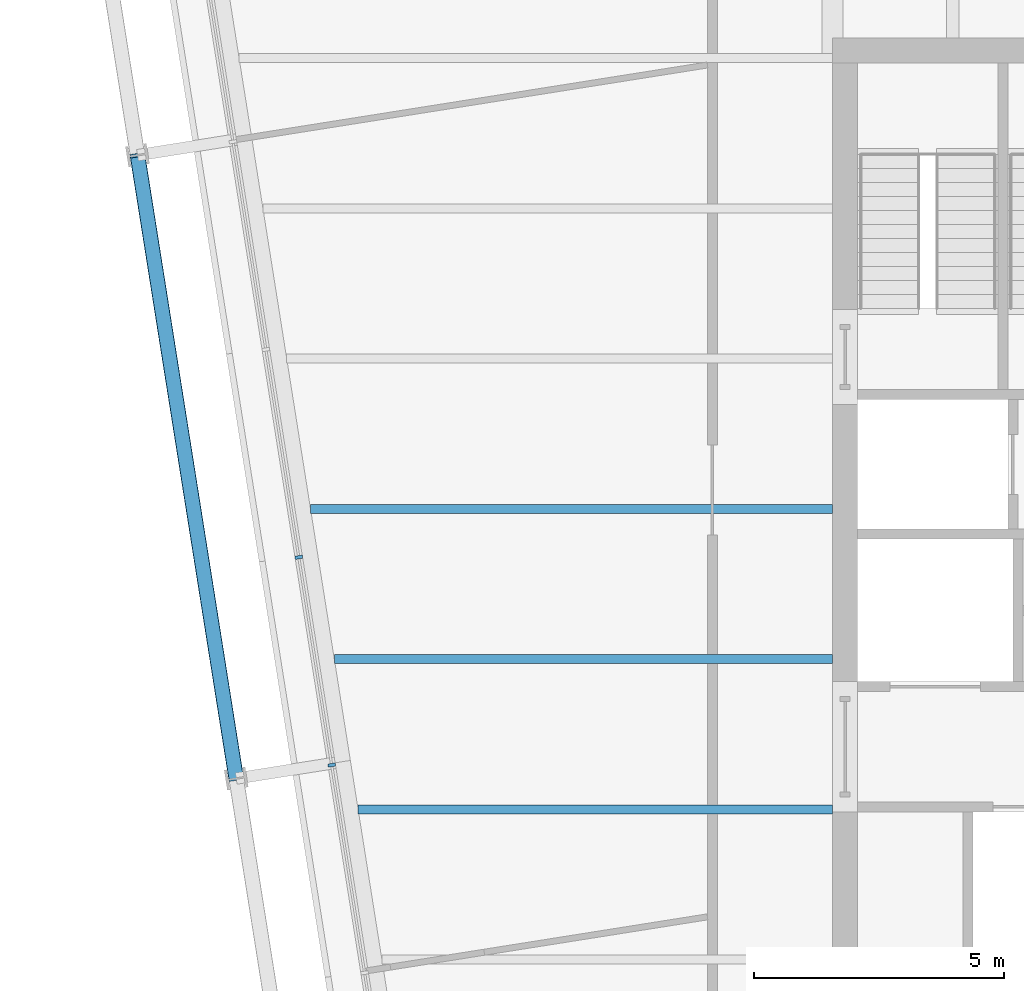
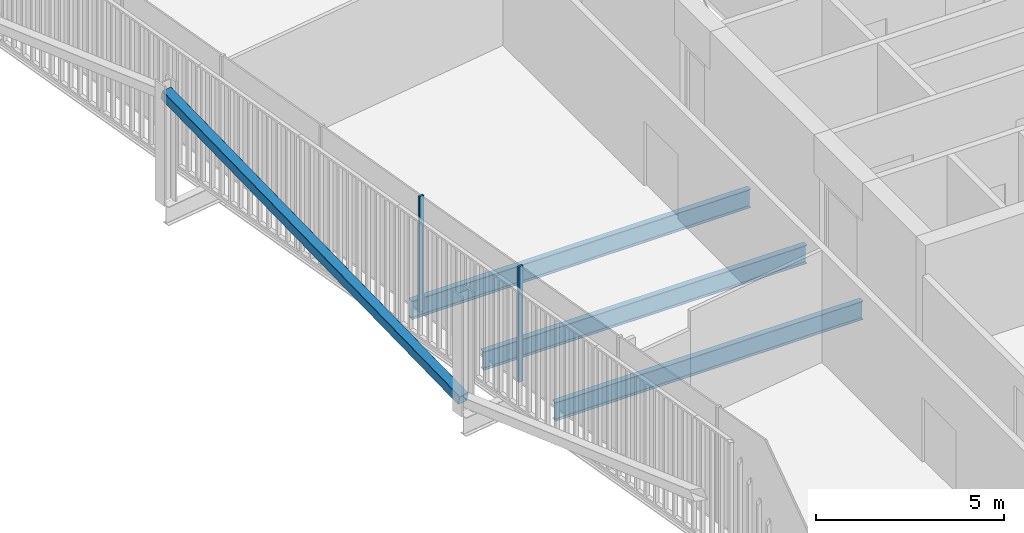
# One storey, part 5 of 21: 3 beams, 3 members, 1 element without a shape of its own.
"""IFC4 building model written with IfcOpenShell, lengths in metres."""

from ifc_helpers import new_model, si_unit, direction, frame, origin, origin_2d, place, context, subcontext, project, spatial, rectangle, hollow_rectangle, i_section, extrude, material, layer, layer_set, material_profile, profile_set, type_object, element, aggregate, save


model = new_model("IFC4")

# Units and contexts
model_context = context("Model", 3, precision=1e-05, world=origin(), true_north=direction((0.0, 1.0)))
body_context = subcontext(model_context, "Body", "Model", "MODEL_VIEW")
ifc_project = project(units=[si_unit("LENGTHUNIT", "METRE"), si_unit("AREAUNIT", "SQUARE_METRE"), si_unit("VOLUMEUNIT", "CUBIC_METRE"), si_unit("PLANEANGLEUNIT", "RADIAN"), si_unit("MASSUNIT", "GRAM", prefix="KILO")], contexts=[model_context])

# Site, building, storey
site_placement = place(None, origin())
site = spatial("IfcSite", under=ifc_project, at=site_placement, CompositionType="ELEMENT")
building_placement = place(site_placement, origin())
building = spatial("IfcBuilding", under=site, at=building_placement, Name="Millrace Tower", CompositionType="ELEMENT")
storey_placement = place(building_placement, frame((0.0, 0.0, 263.0)))
storey = spatial("IfcBuildingStorey", under=building, at=storey_placement, Name="L60", CompositionType="ELEMENT", Elevation=263.0)

# Curtain wall, members
ifc_material_1 = material(Name="Aluminium and glass", Category="aluminium")
ifc_layer = layer(ifc_material_1, 0.14990234375)
ifc_layer_set = layer_set([ifc_layer], Name="Aluminium and glass")
curtain_wall_type = type_object("IfcCurtainWallType", Name="CW-1 office vision curtain wall", PredefinedType="NOTDEFINED", material=ifc_layer_set)
curtain_wall_placement = place(storey_placement, origin())
curtain_wall = element("IfcCurtainWall", 1, at=curtain_wall_placement, inside=storey, type_object=curtain_wall_type, Name="Curtain wall D-F08 L60", PredefinedType="NOTDEFINED")
ifc_material_2 = material(Name="Aluminium", Category="aluminium")
ifc_material_profile_1 = material_profile(ifc_material_2, rectangle(XDim=0.06494140625, YDim=0.14990234375, at=origin_2d()))
ifc_profile_set_1 = profile_set([ifc_material_profile_1], Name="Aluminium")
member_type_1 = type_object("IfcMemberType", Name="CW-1 office vision curtain wall mullion", PredefinedType="MULLION", material=ifc_profile_set_1)
member_1_placement = place(storey_placement, frame((-25.057373046875, -0.966064453125, 0.139892578125), z_axis=(0.0, 0.0, 1.0), x_axis=(0.156434471884, -0.987688339511, 0.0)))
member_1 = element("IfcMember", 2, at=member_1_placement, type_object=member_type_1, Name="CW1 mullion D-F08.6", PredefinedType="MULLION", context=body_context, shape_type="SweptSolid", body=[
    extrude(rectangle(XDim=0.06494140625, YDim=0.14990234375, at=origin_2d()), origin(), (0.0, 0.0, 1.0), 3.760009765625),
])
member_2_placement = place(storey_placement, frame((-24.400390625, -5.1142578125, 0.139892578125), z_axis=(0.0, 0.0, 1.0), x_axis=(0.156434471884, -0.987688339511, 0.0)))
member_2 = element("IfcMember", 3, at=member_2_placement, type_object=member_type_1, Name="CW1 mullion D-F08.7", PredefinedType="MULLION", context=body_context, shape_type="SweptSolid", body=[
    extrude(rectangle(XDim=0.06494140625, YDim=0.14990234375, at=origin_2d()), origin(), (0.0, 0.0, 1.0), 3.760009765625),
])
aggregate(curtain_wall, [member_1, member_2])

# Member
ifc_material_3 = material(Name="Steel ASTM A500 Grade C", Category="steel")
ifc_material_profile_2 = material_profile(ifc_material_3, hollow_rectangle(XDim=0.3046875, YDim=0.3046875, WallThickness=0.009521484375, InnerFilletRadius=0.004638671875, OuterFilletRadius=0.014404296875, at=origin_2d()))
ifc_profile_set_2 = profile_set([ifc_material_profile_2], Name="Steel ASTM A500 Grade C")
member_type_2 = type_object("IfcMemberType", Name="Exoskeleton brace HSS12x12x3/8", PredefinedType="BRACE", material=ifc_profile_set_2)
member_3_placement = place(storey_placement, frame((-26.306640625, -5.38330078125, 0.39990234375), z_axis=(-0.151913592254, 0.959083905322, 0.238914886604), x_axis=(-0.987686809102, -0.1564441342, 0.0)))
element("IfcMember", 4, at=member_3_placement, inside=storey, type_object=member_type_2, Name="BRC-D-L60-15", PredefinedType="BRACE", context=body_context, shape_type="SweptSolid", body=[
    extrude(hollow_rectangle(XDim=0.3046875, YDim=0.3046875, WallThickness=0.009521484375, InnerFilletRadius=0.004638671875, OuterFilletRadius=0.014404296875, at=origin_2d()), origin(), (0.0, 0.0, 1.0), 12.975830078125),
])

# Beams
ifc_material_4 = material(Name="Steel ASTM A992 Grade 50", Category="steel")
ifc_material_profile_3 = material_profile(ifc_material_4, i_section(OverallWidth=0.177978515625, OverallDepth=0.599365234375, WebThickness=0.010009765625, FlangeThickness=0.012939453125, FilletRadius=0.012939453125, at=origin_2d()))
ifc_profile_set_3 = profile_set([ifc_material_profile_3], Name="Steel ASTM A992 Grade 50")
beam_type_1 = type_object("IfcBeamType", Name="Floor beam W24x55", PredefinedType="JOIST", material=ifc_profile_set_3)
beam_1_placement = place(storey_placement, frame((-23.872802734375, -6.0, -0.459716796875), z_axis=(1.0, 0.0, 0.0), x_axis=(0.0, 1.0, 0.0)))
element("IfcBeam", 5, at=beam_1_placement, inside=storey, type_object=beam_type_1, Name="BM-D-L60-S1-S009", PredefinedType="JOIST", context=body_context, shape_type="SweptSolid", body=[
    extrude(i_section(OverallWidth=0.177978515625, OverallDepth=0.599365234375, WebThickness=0.010009765625, FlangeThickness=0.012939453125, FilletRadius=0.012939453125, at=origin_2d()), origin(), (0.0, 0.0, 1.0), 9.472900390625),
])
beam_2_placement = place(storey_placement, frame((-24.34814453125, -3.0, -0.459716796875), z_axis=(1.0, 0.0, 0.0), x_axis=(0.0, 1.0, 0.0)))
element("IfcBeam", 6, at=beam_2_placement, inside=storey, type_object=beam_type_1, Name="BM-D-L60-S1-S012", PredefinedType="JOIST", context=body_context, shape_type="SweptSolid", body=[
    extrude(i_section(OverallWidth=0.177978515625, OverallDepth=0.599365234375, WebThickness=0.010009765625, FlangeThickness=0.012939453125, FilletRadius=0.012939453125, at=origin_2d()), origin(), (0.0, 0.0, 1.0), 9.9482421875),
])
ifc_material_5 = material(Name="Steel ASTM A992 Grade 50", Category="steel")
ifc_material_profile_4 = material_profile(ifc_material_5, i_section(OverallWidth=0.1787109375, OverallDepth=0.60205078125, WebThickness=0.010986328125, FlangeThickness=0.014892578125, FilletRadius=0.0126953125, at=origin_2d()))
ifc_profile_set_4 = profile_set([ifc_material_profile_4], Name="Steel ASTM A992 Grade 50")
beam_type_2 = type_object("IfcBeamType", Name="Floor beam W24x62", PredefinedType="JOIST", material=ifc_profile_set_4)
beam_3_placement = place(storey_placement, frame((-24.8232421875, 0.0, -0.4609375), z_axis=(1.0, 0.0, 0.0), x_axis=(0.0, 1.0, 0.0)))
element("IfcBeam", 7, at=beam_3_placement, inside=storey, type_object=beam_type_2, Name="BM-D-L60-S1-S015", PredefinedType="JOIST", context=body_context, shape_type="SweptSolid", body=[
    extrude(i_section(OverallWidth=0.1787109375, OverallDepth=0.60205078125, WebThickness=0.010986328125, FlangeThickness=0.014892578125, FilletRadius=0.0126953125, at=origin_2d()), origin(), (0.0, 0.0, 1.0), 10.42333984375),
])

save(model, "model.ifc")
